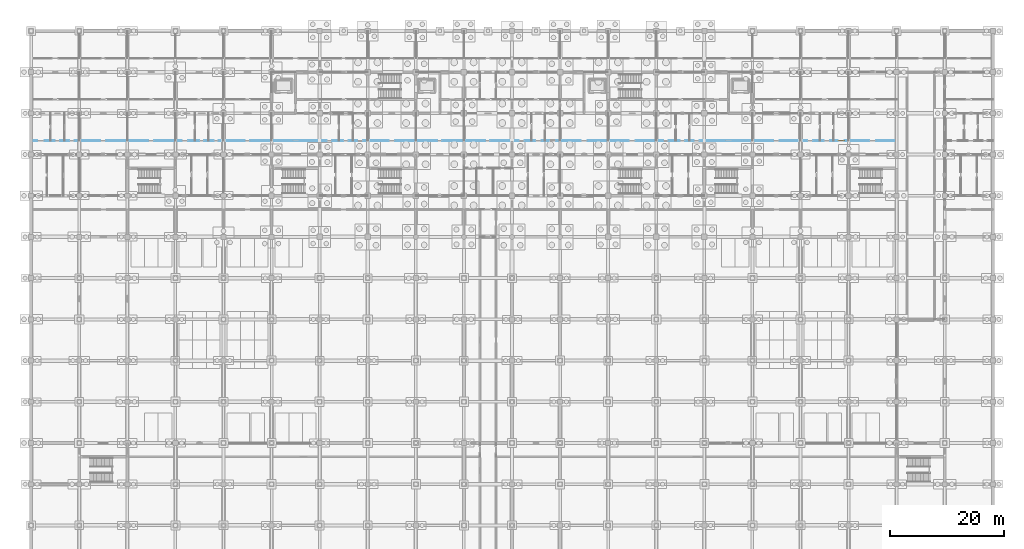
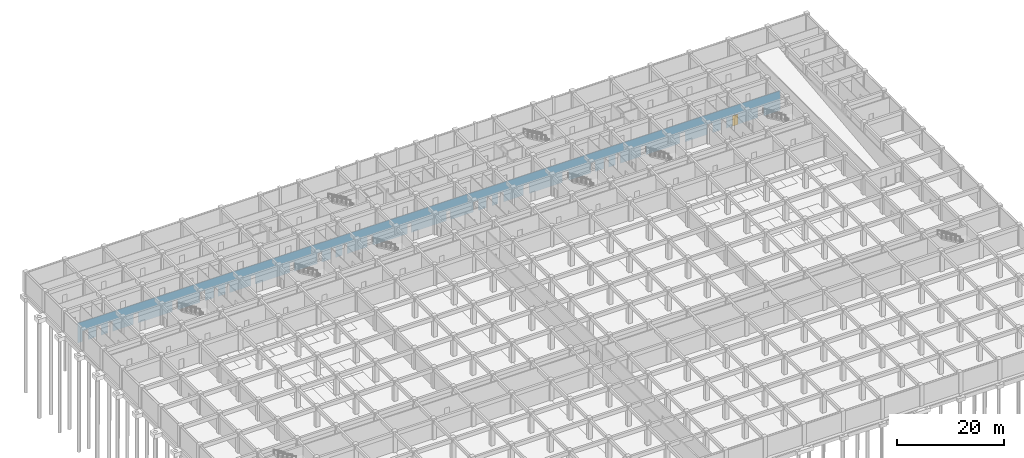
# One storey, part 69 of 85: 1 door, 30 openings, plus 1 element that does not belong to this part.
"""IFC4 building model written with IfcOpenShell, lengths in metres."""

from ifc_helpers import new_model, si_unit, direction, frame, frame_2d, origin, place, context, subcontext, project, spatial, rectangle, extrude, material, layer, layer_set, type_object, element, fill, save


model = new_model("IFC4")

# Units and contexts
model_context = context("Model", 3, precision=1e-05, world=origin(), true_north=direction((0.0, 1.0)))
body_context = subcontext(model_context, "Body", "Model", "MODEL_VIEW")
ifc_project = project(units=[si_unit("LENGTHUNIT", "METRE"), si_unit("AREAUNIT", "SQUARE_METRE"), si_unit("VOLUMEUNIT", "CUBIC_METRE"), si_unit("PLANEANGLEUNIT", "RADIAN"), si_unit("MASSUNIT", "GRAM", prefix="KILO")], contexts=[model_context])

# Site, building, storey
site_placement = place(None, origin())
site = spatial("IfcSite", under=ifc_project, at=site_placement, CompositionType="ELEMENT")
building_placement = place(site_placement, origin())
building = spatial("IfcBuilding", under=site, at=building_placement, Name="Chengyuan Square Courthouse", CompositionType="ELEMENT")
storey_placement = place(building_placement, frame((0.0, 0.0, -10.199951171875)))
storey = spatial("IfcBuildingStorey", under=building, at=storey_placement, Name="B02", CompositionType="ELEMENT", Elevation=-10.199951171875)

# Wall, openings, door
ifc_material_1 = material(Name="Gypsum Plasterboard Acoustic Stud Partition")
ifc_layer = layer(ifc_material_1, 0.10009765625)
ifc_layer_set = layer_set([ifc_layer], Name="Gypsum Plasterboard Acoustic Stud Partition")
wall_type = type_object("IfcWallType", Name="WL-PT6", PredefinedType="STANDARD", material=ifc_layer_set)
wall_placement = place(storey_placement, frame((0.0400390625, 96.0, 0.0), z_axis=(0.0, 0.0, 1.0), x_axis=(1.0, 0.0, 0.0)))
wall = element("IfcWall", 1, at=wall_placement, inside=storey, type_object=wall_type, Name="Interior Wall WL-B02-I062", PredefinedType="STANDARD", context=body_context, shape_type="SweptSolid", body=[
    extrude(rectangle(XDim=151.159912109375, YDim=0.10009765625, at=frame_2d((75.580078125, 0.0))), origin(), (0.0, 0.0, 1.0), 4.47998046875),
])
opening_1_placement = place(wall_placement, frame((1.0400390625, 0.0, 0.0)))
element("IfcOpeningElement", 2, at=opening_1_placement, cuts=wall, Name="Opening DR-148", PredefinedType="OPENING", context=body_context, shape_type="SweptSolid", body=[
    extrude(rectangle(XDim=1.280029296875, YDim=2.35009765625, at=frame_2d((0.64013671875, 1.175048828125))), frame((0.0, 0.06201171875, 0.0), z_axis=(0.0, -1.0, 0.0), x_axis=(1.0, 0.0, 0.0)), (0.0, 0.0, 1.0), 0.1240234375),
])
opening_2_placement = place(wall_placement, frame((4.090087890625, 0.0, 0.0)))
element("IfcOpeningElement", 3, at=opening_2_placement, cuts=wall, Name="Opening DR-149", PredefinedType="OPENING", context=body_context, shape_type="SweptSolid", body=[
    extrude(rectangle(XDim=0.93994140625, YDim=2.300048828125, at=frame_2d((0.469970703125, 1.14990234375))), frame((0.0, 0.06201171875, 0.0), z_axis=(0.0, -1.0, 0.0), x_axis=(1.0, 0.0, 0.0)), (0.0, 0.0, 1.0), 0.1240234375),
])
opening_3_placement = place(wall_placement, frame((6.570068359375, 0.0, 0.0)))
element("IfcOpeningElement", 4, at=opening_3_placement, cuts=wall, Name="Opening DR-150", PredefinedType="OPENING", context=body_context, shape_type="SweptSolid", body=[
    extrude(rectangle(XDim=0.97998046875, YDim=2.35009765625, at=frame_2d((0.489990234375, 1.175048828125))), frame((0.0, 0.06201171875, 0.0), z_axis=(0.0, -1.0, 0.0), x_axis=(1.0, 0.0, 0.0)), (0.0, 0.0, 1.0), 0.1240234375),
])
opening_4_placement = place(wall_placement, frame((12.050048828125, 0.0, 0.0)))
element("IfcOpeningElement", 5, at=opening_4_placement, cuts=wall, Name="Opening DR-151", PredefinedType="OPENING", context=body_context, shape_type="SweptSolid", body=[
    extrude(rectangle(XDim=1.02001953125, YDim=2.39990234375, at=frame_2d((0.510009765625, 1.199951171875))), frame((0.0, 0.06201171875, 0.0), z_axis=(0.0, -1.0, 0.0), x_axis=(1.0, 0.0, 0.0)), (0.0, 0.0, 1.0), 0.1240234375),
])
opening_5_placement = place(wall_placement, frame((20.429931640625, 0.0, 0.0)))
element("IfcOpeningElement", 6, at=opening_5_placement, cuts=wall, Name="Opening DR-152", PredefinedType="OPENING", context=body_context, shape_type="SweptSolid", body=[
    extrude(rectangle(XDim=1.06005859375, YDim=2.39990234375, at=frame_2d((0.530029296875, 1.199951171875))), frame((0.0, 0.06201171875, 0.0), z_axis=(0.0, -1.0, 0.0), x_axis=(1.0, 0.0, 0.0)), (0.0, 0.0, 1.0), 0.1240234375),
])
opening_6_placement = place(wall_placement, frame((26.2900390625, 0.0, 0.0)))
element("IfcOpeningElement", 7, at=opening_6_placement, cuts=wall, Name="Opening DR-153", PredefinedType="OPENING", context=body_context, shape_type="SweptSolid", body=[
    extrude(rectangle(XDim=1.139892578125, YDim=2.39990234375, at=frame_2d((0.56982421875, 1.199951171875))), frame((0.0, 0.06201171875, 0.0), z_axis=(0.0, -1.0, 0.0), x_axis=(1.0, 0.0, 0.0)), (0.0, 0.0, 1.0), 0.1240234375),
])
opening_7_placement = place(wall_placement, frame((29.31005859375, 0.0, 0.0)))
element("IfcOpeningElement", 8, at=opening_7_placement, cuts=wall, Name="Opening DR-154", PredefinedType="OPENING", context=body_context, shape_type="SweptSolid", body=[
    extrude(rectangle(XDim=0.89990234375, YDim=2.14990234375, at=frame_2d((0.449951171875, 1.074951171875))), frame((0.0, 0.06201171875, 0.0), z_axis=(0.0, -1.0, 0.0), x_axis=(1.0, 0.0, 0.0)), (0.0, 0.0, 1.0), 0.1240234375),
])
opening_8_placement = place(wall_placement, frame((31.830078125, 0.0, 0.0)))
element("IfcOpeningElement", 9, at=opening_8_placement, cuts=wall, Name="Opening DR-155", PredefinedType="OPENING", context=body_context, shape_type="SweptSolid", body=[
    extrude(rectangle(XDim=0.860107421875, YDim=2.10009765625, at=frame_2d((0.43017578125, 1.050048828125))), frame((0.0, 0.06201171875, 0.0), z_axis=(0.0, -1.0, 0.0), x_axis=(1.0, 0.0, 0.0)), (0.0, 0.0, 1.0), 0.1240234375),
])
opening_9_placement = place(wall_placement, frame((37.300048828125, 0.0, 0.0)))
element("IfcOpeningElement", 10, at=opening_9_placement, cuts=wall, Name="Opening DR-156", PredefinedType="OPENING", context=body_context, shape_type="SweptSolid", body=[
    extrude(rectangle(XDim=0.919921875, YDim=2.14990234375, at=frame_2d((0.4599609375, 1.074951171875))), frame((0.0, 0.06201171875, 0.0), z_axis=(0.0, -1.0, 0.0), x_axis=(1.0, 0.0, 0.0)), (0.0, 0.0, 1.0), 0.1240234375),
])
opening_10_placement = place(wall_placement, frame((45.679931640625, 0.0, 0.0)))
element("IfcOpeningElement", 11, at=opening_10_placement, cuts=wall, Name="Opening DR-157", PredefinedType="OPENING", context=body_context, shape_type="SweptSolid", body=[
    extrude(rectangle(XDim=0.9599609375, YDim=2.199951171875, at=frame_2d((0.47998046875, 1.10009765625))), frame((0.0, 0.06201171875, 0.0), z_axis=(0.0, -1.0, 0.0), x_axis=(1.0, 0.0, 0.0)), (0.0, 0.0, 1.0), 0.1240234375),
])
opening_11_placement = place(wall_placement, frame((51.570068359375, 0.0, 0.0)))
element("IfcOpeningElement", 12, at=opening_11_placement, cuts=wall, Name="Opening DR-167", PredefinedType="OPENING", context=body_context, shape_type="SweptSolid", body=[
    extrude(rectangle(XDim=0.97998046875, YDim=2.35009765625, at=frame_2d((0.489990234375, 1.175048828125))), frame((0.0, 0.06201171875, 0.0), z_axis=(0.0, -1.0, 0.0), x_axis=(1.0, 0.0, 0.0)), (0.0, 0.0, 1.0), 0.1240234375),
])
opening_12_placement = place(wall_placement, frame((54.449951171875, 0.0, 0.0)))
element("IfcOpeningElement", 13, at=opening_12_placement, cuts=wall, Name="Opening DR-168", PredefinedType="OPENING", context=body_context, shape_type="SweptSolid", body=[
    extrude(rectangle(XDim=1.02001953125, YDim=2.39990234375, at=frame_2d((0.510009765625, 1.199951171875))), frame((0.0, 0.06201171875, 0.0), z_axis=(0.0, -1.0, 0.0), x_axis=(1.0, 0.0, 0.0)), (0.0, 0.0, 1.0), 0.1240234375),
])
opening_13_placement = place(wall_placement, frame((56.929931640625, 0.0, 0.0)))
element("IfcOpeningElement", 14, at=opening_13_placement, cuts=wall, Name="Opening DR-169", PredefinedType="OPENING", context=body_context, shape_type="SweptSolid", body=[
    extrude(rectangle(XDim=1.06005859375, YDim=2.39990234375, at=frame_2d((0.530029296875, 1.199951171875))), frame((0.0, 0.06201171875, 0.0), z_axis=(0.0, -1.0, 0.0), x_axis=(1.0, 0.0, 0.0)), (0.0, 0.0, 1.0), 0.1240234375),
])
opening_14_placement = place(wall_placement, frame((62.389892578125, 0.0, 0.0)))
element("IfcOpeningElement", 15, at=opening_14_placement, cuts=wall, Name="Opening DR-170", PredefinedType="OPENING", context=body_context, shape_type="SweptSolid", body=[
    extrude(rectangle(XDim=1.139892578125, YDim=2.39990234375, at=frame_2d((0.56982421875, 1.199951171875))), frame((0.0, 0.06201171875, 0.0), z_axis=(0.0, -1.0, 0.0), x_axis=(1.0, 0.0, 0.0)), (0.0, 0.0, 1.0), 0.1240234375),
])
opening_15_placement = place(wall_placement, frame((70.909912109375, 0.0, 0.0)))
element("IfcOpeningElement", 16, at=opening_15_placement, cuts=wall, Name="Opening DR-171", PredefinedType="OPENING", context=body_context, shape_type="SweptSolid", body=[
    extrude(rectangle(XDim=0.89990234375, YDim=2.14990234375, at=frame_2d((0.449951171875, 1.074951171875))), frame((0.0, 0.06201171875, 0.0), z_axis=(0.0, -1.0, 0.0), x_axis=(1.0, 0.0, 0.0)), (0.0, 0.0, 1.0), 0.1240234375),
])
opening_16_placement = place(wall_placement, frame((79.330078125, 0.0, 0.0)))
element("IfcOpeningElement", 17, at=opening_16_placement, cuts=wall, Name="Opening DR-172", PredefinedType="OPENING", context=body_context, shape_type="SweptSolid", body=[
    extrude(rectangle(XDim=0.860107421875, YDim=2.10009765625, at=frame_2d((0.43017578125, 1.050048828125))), frame((0.0, 0.06201171875, 0.0), z_axis=(0.0, -1.0, 0.0), x_axis=(1.0, 0.0, 0.0)), (0.0, 0.0, 1.0), 0.1240234375),
])
opening_17_placement = place(wall_placement, frame((85.10009765625, 0.0, 0.0)))
element("IfcOpeningElement", 18, at=opening_17_placement, cuts=wall, Name="Opening DR-178", PredefinedType="OPENING", context=body_context, shape_type="SweptSolid", body=[
    extrude(rectangle(XDim=1.1201171875, YDim=2.25, at=frame_2d((0.56005859375, 1.125))), frame((0.0, 0.06201171875, 0.0), z_axis=(0.0, -1.0, 0.0), x_axis=(1.0, 0.0, 0.0)), (0.0, 0.0, 1.0), 0.1240234375),
])
opening_18_placement = place(wall_placement, frame((87.97998046875, 0.0, 0.0)))
element("IfcOpeningElement", 19, at=opening_18_placement, cuts=wall, Name="Opening DR-179", PredefinedType="OPENING", context=body_context, shape_type="SweptSolid", body=[
    extrude(rectangle(XDim=1.159912109375, YDim=2.300048828125, at=frame_2d((0.580078125, 1.14990234375))), frame((0.0, 0.06201171875, 0.0), z_axis=(0.0, -1.0, 0.0), x_axis=(1.0, 0.0, 0.0)), (0.0, 0.0, 1.0), 0.1240234375),
])
opening_19_placement = place(wall_placement, frame((90.4599609375, 0.0, 0.0)))
element("IfcOpeningElement", 20, at=opening_19_placement, cuts=wall, Name="Opening DR-180", PredefinedType="OPENING", context=body_context, shape_type="SweptSolid", body=[
    extrude(rectangle(XDim=1.199951171875, YDim=2.35009765625, at=frame_2d((0.60009765625, 1.175048828125))), frame((0.0, 0.06201171875, 0.0), z_axis=(0.0, -1.0, 0.0), x_axis=(1.0, 0.0, 0.0)), (0.0, 0.0, 1.0), 0.1240234375),
])
opening_20_placement = place(wall_placement, frame((95.93994140625, 0.0, 0.0)))
element("IfcOpeningElement", 21, at=opening_20_placement, cuts=wall, Name="Opening DR-181", PredefinedType="OPENING", context=body_context, shape_type="SweptSolid", body=[
    extrude(rectangle(XDim=1.239990234375, YDim=2.300048828125, at=frame_2d((0.6201171875, 1.14990234375))), frame((0.0, 0.06201171875, 0.0), z_axis=(0.0, -1.0, 0.0), x_axis=(1.0, 0.0, 0.0)), (0.0, 0.0, 1.0), 0.1240234375),
])
opening_21_placement = place(wall_placement, frame((104.320068359375, 0.0, 0.0)))
element("IfcOpeningElement", 22, at=opening_21_placement, cuts=wall, Name="Opening DR-182", PredefinedType="OPENING", context=body_context, shape_type="SweptSolid", body=[
    extrude(rectangle(XDim=1.280029296875, YDim=2.35009765625, at=frame_2d((0.64013671875, 1.175048828125))), frame((0.0, 0.06201171875, 0.0), z_axis=(0.0, -1.0, 0.0), x_axis=(1.0, 0.0, 0.0)), (0.0, 0.0, 1.0), 0.1240234375),
])
opening_22_placement = place(wall_placement, frame((110.389892578125, 0.0, 0.0)))
element("IfcOpeningElement", 23, at=opening_22_placement, cuts=wall, Name="Opening DR-183", PredefinedType="OPENING", context=body_context, shape_type="SweptSolid", body=[
    extrude(rectangle(XDim=0.93994140625, YDim=2.300048828125, at=frame_2d((0.469970703125, 1.14990234375))), frame((0.0, 0.06201171875, 0.0), z_axis=(0.0, -1.0, 0.0), x_axis=(1.0, 0.0, 0.0)), (0.0, 0.0, 1.0), 0.1240234375),
])
opening_23_placement = place(wall_placement, frame((113.27001953125, 0.0, 0.0)))
element("IfcOpeningElement", 24, at=opening_23_placement, cuts=wall, Name="Opening DR-184", PredefinedType="OPENING", context=body_context, shape_type="SweptSolid", body=[
    extrude(rectangle(XDim=0.97998046875, YDim=2.35009765625, at=frame_2d((0.489990234375, 1.175048828125))), frame((0.0, 0.06201171875, 0.0), z_axis=(0.0, -1.0, 0.0), x_axis=(1.0, 0.0, 0.0)), (0.0, 0.0, 1.0), 0.1240234375),
])
opening_24_placement = place(wall_placement, frame((115.75, 0.0, 0.0)))
element("IfcOpeningElement", 25, at=opening_24_placement, cuts=wall, Name="Opening DR-185", PredefinedType="OPENING", context=body_context, shape_type="SweptSolid", body=[
    extrude(rectangle(XDim=1.02001953125, YDim=2.39990234375, at=frame_2d((0.510009765625, 1.199951171875))), frame((0.0, 0.06201171875, 0.0), z_axis=(0.0, -1.0, 0.0), x_axis=(1.0, 0.0, 0.0)), (0.0, 0.0, 1.0), 0.1240234375),
])
opening_25_placement = place(wall_placement, frame((121.239990234375, 0.0, 0.0)))
element("IfcOpeningElement", 26, at=opening_25_placement, cuts=wall, Name="Opening DR-193", PredefinedType="OPENING", context=body_context, shape_type="SweptSolid", body=[
    extrude(rectangle(XDim=1.0400390625, YDim=2.199951171875, at=frame_2d((0.52001953125, 1.10009765625))), frame((0.0, 0.06201171875, 0.0), z_axis=(0.0, -1.0, 0.0), x_axis=(1.0, 0.0, 0.0)), (0.0, 0.0, 1.0), 0.1240234375),
])
opening_26_placement = place(wall_placement, frame((129.6201171875, 0.0, 0.0)))
element("IfcOpeningElement", 27, at=opening_26_placement, cuts=wall, Name="Opening DR-194", PredefinedType="OPENING", context=body_context, shape_type="SweptSolid", body=[
    extrude(rectangle(XDim=1.080078125, YDim=2.25, at=frame_2d((0.5400390625, 1.125))), frame((0.0, 0.06201171875, 0.0), z_axis=(0.0, -1.0, 0.0), x_axis=(1.0, 0.0, 0.0)), (0.0, 0.0, 1.0), 0.1240234375),
])
opening_27_placement = place(wall_placement, frame((135.5, 0.0, 0.0)))
element("IfcOpeningElement", 28, at=opening_27_placement, cuts=wall, Name="Opening DR-195", PredefinedType="OPENING", context=body_context, shape_type="SweptSolid", body=[
    extrude(rectangle(XDim=1.1201171875, YDim=2.25, at=frame_2d((0.56005859375, 1.125))), frame((0.0, 0.06201171875, 0.0), z_axis=(0.0, -1.0, 0.0), x_axis=(1.0, 0.0, 0.0)), (0.0, 0.0, 1.0), 0.1240234375),
])
opening_28_placement = place(wall_placement, frame((138.3798828125, 0.0, 0.0)))
element("IfcOpeningElement", 29, at=opening_28_placement, cuts=wall, Name="Opening DR-196", PredefinedType="OPENING", context=body_context, shape_type="SweptSolid", body=[
    extrude(rectangle(XDim=1.159912109375, YDim=2.300048828125, at=frame_2d((0.580078125, 1.14990234375))), frame((0.0, 0.06201171875, 0.0), z_axis=(0.0, -1.0, 0.0), x_axis=(1.0, 0.0, 0.0)), (0.0, 0.0, 1.0), 0.1240234375),
])
opening_29_placement = place(wall_placement, frame((140.860107421875, 0.0, 0.0)))
opening_29 = element("IfcOpeningElement", 30, at=opening_29_placement, cuts=wall, Name="Opening DR-197", PredefinedType="OPENING", context=body_context, shape_type="SweptSolid", body=[
    extrude(rectangle(XDim=1.199951171875, YDim=2.35009765625, at=frame_2d((0.60009765625, 1.175048828125))), frame((0.0, 0.06201171875, 0.0), z_axis=(0.0, -1.0, 0.0), x_axis=(1.0, 0.0, 0.0)), (0.0, 0.0, 1.0), 0.1240234375),
])
opening_30_placement = place(wall_placement, frame((146.340087890625, 0.0, 0.0)))
element("IfcOpeningElement", 31, at=opening_30_placement, cuts=wall, Name="Opening DR-198", PredefinedType="OPENING", context=body_context, shape_type="SweptSolid", body=[
    extrude(rectangle(XDim=1.239990234375, YDim=2.300048828125, at=frame_2d((0.6201171875, 1.14990234375))), frame((0.0, 0.06201171875, 0.0), z_axis=(0.0, -1.0, 0.0), x_axis=(1.0, 0.0, 0.0)), (0.0, 0.0, 1.0), 0.1240234375),
])
ifc_material_2 = material(Name="Acoustic Solid-Core Timber Door", Category="wood")
door_type = type_object("IfcDoorType", Name="DT-36", OperationType="NOTDEFINED", PredefinedType="DOOR", material=ifc_material_2)
door_placement = place(opening_29_placement, origin())
door = element("IfcDoor", 32, at=door_placement, inside=storey, type_object=door_type, Name="Interior Door DR-197", OperationType="SINGLE_SWING_RIGHT", OverallHeight=2.35009765625, OverallWidth=1.199951171875, PredefinedType="DOOR", context=body_context, shape_type="SweptSolid", body=[
    extrude(rectangle(XDim=1.199951171875, YDim=2.35009765625, at=frame_2d((0.60009765625, 1.175048828125))), frame((0.0, 0.02490234375, 0.0), z_axis=(0.0, -1.0, 0.0), x_axis=(1.0, 0.0, 0.0)), (0.0, 0.0, 1.0), 0.050048828125),
])
fill(opening_29, door)

save(model, "model.ifc")
